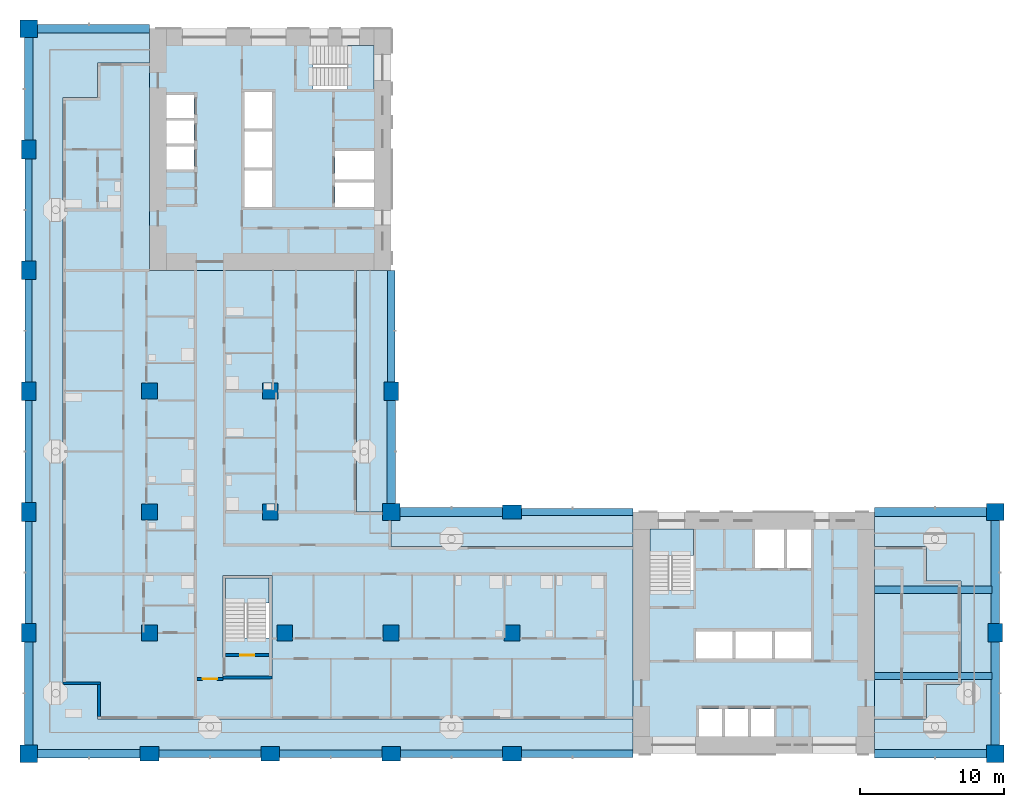
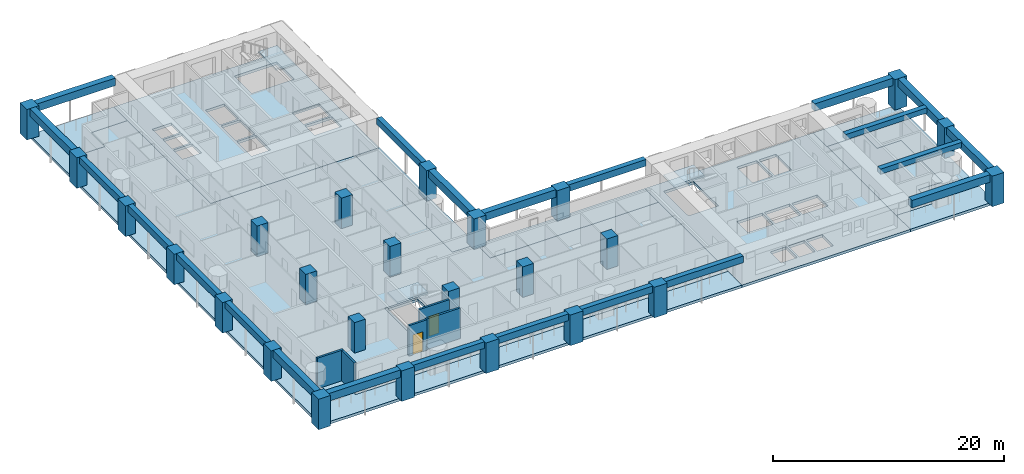
# One storey, part 1 of 19: 25 columns, 22 beams, 12 slabs, 5 walls, 2 doors, 2 openings, 3 elements without a shape of their own.
"""IFC4 building model written with IfcOpenShell, lengths in metres."""

from ifc_helpers import new_model, si_unit, direction, frame, frame_2d, origin, origin_2d, place, context, subcontext, project, spatial, polyline, rectangle, outline, extrude, material, layer, layer_set, material_profile, profile_set, type_object, element, fill, aggregate, save


model = new_model("IFC4")

# Units and contexts
model_context = context("Model", 3, precision=1e-05, world=origin(), true_north=direction((0.0, 1.0)))
body_context = subcontext(model_context, "Body", "Model", "MODEL_VIEW")
ifc_project = project(units=[si_unit("LENGTHUNIT", "METRE"), si_unit("AREAUNIT", "SQUARE_METRE"), si_unit("VOLUMEUNIT", "CUBIC_METRE"), si_unit("PLANEANGLEUNIT", "RADIAN"), si_unit("MASSUNIT", "GRAM", prefix="KILO")], contexts=[model_context])

# Site, building, storey
site_placement = place(None, origin())
site = spatial("IfcSite", under=ifc_project, at=site_placement, CompositionType="ELEMENT")
building_placement = place(site_placement, origin())
building = spatial("IfcBuilding", under=site, at=building_placement, Name="Vermilion Gate Residences", CompositionType="ELEMENT")
storey_placement = place(building_placement, frame((0.0, 0.0, 119.699951171875)))
storey = spatial("IfcBuildingStorey", under=building, at=storey_placement, Name="L30", CompositionType="ELEMENT", Elevation=119.699951171875)

# Columns
ifc_material_1 = material(Name="Concrete C70", Category="concrete")
ifc_material_profile_1 = material_profile(ifc_material_1, rectangle(XDim=1.10009765625, YDim=1.10009765625, at=origin_2d()), Name="RC-1100x1100")
ifc_profile_set_1 = profile_set([ifc_material_profile_1], Name="Concrete C70")
column_type_1 = type_object("IfcColumnType", Name="RC COLUMN 1100 X 1100 C70", PredefinedType="COLUMN", material=ifc_profile_set_1)
for number, where, z_axis, x_axis, name in (
    (1, (8.39990234375, 16.800048828125, 0.0), (0.0, 0.0, 1.0), (1.0, 0.0, 0.0), "Column 2-C L30"),
    (2, (8.39990234375, 25.199951171875, 0.0), (0.0, 0.0, 1.0), (1.0, 0.0, 0.0), "Column 2-D L30"),
    (3, (8.39990234375, 33.60009765625, 0.0), (0.0, 0.0, 1.0), (1.0, 0.0, 0.0), "Column 2-E L30"),
    (4, (17.800048828125, 16.800048828125, 0.0), (0.0, 0.0, 1.0), (1.0, 0.0, 0.0), "Column 3-C L30"),
    (5, (16.800048828125, 25.199951171875, 0.0), (0.0, 0.0, 1.0), (1.0, 0.0, 0.0), "Column 3-D L30"),
    (6, (16.800048828125, 33.60009765625, 0.0), (0.0, 0.0, 1.0), (1.0, 0.0, 0.0), "Column 3-E L30"),
    (7, (25.199951171875, 16.800048828125, 0.0), (0.0, 0.0, 1.0), (1.0, 0.0, 0.0), "Column 4-C L30"),
    (8, (33.60009765625, 16.800048828125, 0.0), (0.0, 0.0, 1.0), (1.0, 0.0, 0.0), "Column 5-C L30"),
):
    element("IfcColumn", number, at=place(storey_placement, frame(where, z_axis=z_axis, x_axis=x_axis)), inside=storey, type_object=column_type_1, Name=name, PredefinedType="COLUMN", context=body_context, shape_type="SweptSolid", body=[
        extrude(rectangle(XDim=1.10009765625, YDim=1.10009765625, at=origin_2d()), origin(), (0.0, 0.0, 1.0), 3.219970703125),
    ])
ifc_material_2 = material(Name="Concrete C70", Category="concrete")
ifc_material_profile_2 = material_profile(ifc_material_2, rectangle(XDim=1.199951171875, YDim=1.199951171875, at=origin_2d()), Name="RC-1200x1200")
ifc_profile_set_2 = profile_set([ifc_material_profile_2], Name="Concrete C70")
column_type_2 = type_object("IfcColumnType", Name="RC COLUMN 1200 X 1200 C70", PredefinedType="COLUMN", material=ifc_profile_set_2)
for number, where, z_axis, x_axis, name in (
    (9, (0.0, 8.39990234375, 0.0), (0.0, 0.0, 1.0), (1.0, 0.0, 0.0), "Column 1-B L30"),
    (10, (0.0, 58.800048828125, 0.0), (0.0, 0.0, 1.0), (1.0, 0.0, 0.0), "Column 1-H L30"),
    (11, (25.199951171875, 25.199951171875, 0.0), (0.0, 0.0, 1.0), (1.0, 0.0, 0.0), "Column 4-D L30"),
    (12, (67.199951171875, 8.39990234375, 0.0), (0.0, 0.0, 1.0), (1.0, 0.0, 0.0), "Column 9-B L30"),
    (13, (67.199951171875, 25.199951171875, 0.0), (0.0, 0.0, 1.0), (1.0, 0.0, 0.0), "Column 9-D L30"),
):
    element("IfcColumn", number, at=place(storey_placement, frame(where, z_axis=z_axis, x_axis=x_axis)), inside=storey, type_object=column_type_2, Name=name, PredefinedType="COLUMN", context=body_context, shape_type="SweptSolid", body=[
        extrude(rectangle(XDim=1.199951171875, YDim=1.199951171875, at=origin_2d()), origin(), (0.0, 0.0, 1.0), 3.219970703125),
    ])
ifc_material_3 = material(Name="Concrete C70", Category="concrete")
ifc_material_profile_3 = material_profile(ifc_material_3, rectangle(XDim=1.300048828125, YDim=1.0, at=origin_2d()), Name="RC-1300x1000")
ifc_profile_set_3 = profile_set([ifc_material_profile_3], Name="Concrete C70")
column_type_3 = type_object("IfcColumnType", Name="RC COLUMN 1300 X 1000 C70", PredefinedType="COLUMN", material=ifc_profile_set_3)
for number, where, z_axis, x_axis, name in (
    (14, (0.0, 16.800048828125, 0.0), (0.0, 0.0, 1.0), (0.0, 1.0, 0.0), "Column 1-C L30"),
    (15, (0.0, 25.199951171875, 0.0), (0.0, 0.0, 1.0), (0.0, 1.0, 0.0), "Column 1-D L30"),
    (16, (0.0, 33.60009765625, 0.0), (0.0, 0.0, 1.0), (0.0, 1.0, 0.0), "Column 1-E L30"),
    (17, (0.0, 42.0, 0.0), (0.0, 0.0, 1.0), (0.0, 1.0, 0.0), "Column 1-F L30"),
    (18, (0.0, 50.39990234375, 0.0), (0.0, 0.0, 1.0), (0.0, 1.0, 0.0), "Column 1-G L30"),
    (19, (8.39990234375, 8.39990234375, 0.0), (0.0, 0.0, 1.0), (1.0, 0.0, 0.0), "Column 2-B L30"),
    (20, (16.800048828125, 8.39990234375, 0.0), (0.0, 0.0, 1.0), (1.0, 0.0, 0.0), "Column 3-B L30"),
    (21, (25.199951171875, 8.39990234375, 0.0), (0.0, 0.0, 1.0), (1.0, 0.0, 0.0), "Column 4-B L30"),
    (22, (25.199951171875, 33.60009765625, 0.0), (0.0, 0.0, 1.0), (0.0, 1.0, 0.0), "Column 4-E L30"),
    (23, (33.60009765625, 8.39990234375, 0.0), (0.0, 0.0, 1.0), (1.0, 0.0, 0.0), "Column 5-B L30"),
    (24, (33.60009765625, 25.199951171875, 0.0), (0.0, 0.0, 1.0), (1.0, 0.0, 0.0), "Column 5-D L30"),
    (25, (67.199951171875, 16.800048828125, 0.0), (0.0, 0.0, 1.0), (0.0, 1.0, 0.0), "Column 9-C L30"),
):
    element("IfcColumn", number, at=place(storey_placement, frame(where, z_axis=z_axis, x_axis=x_axis)), inside=storey, type_object=column_type_3, Name=name, PredefinedType="COLUMN", context=body_context, shape_type="SweptSolid", body=[
        extrude(rectangle(XDim=1.300048828125, YDim=1.0, at=origin_2d()), origin(), (0.0, 0.0, 1.0), 3.219970703125),
    ])

# Beams
ifc_material_4 = material(Name="Concrete C60 red-oxide pigmented", Category="concrete")
ifc_material_profile_4 = material_profile(ifc_material_4, rectangle(XDim=0.60009765625, YDim=0.800048828125, at=origin_2d()), Name="RC-600x800")
ifc_profile_set_4 = profile_set([ifc_material_profile_4], Name="Concrete C60 red-oxide pigmented")
beam_type_1 = type_object("IfcBeamType", Name="RC CORNER EDGE BEAM 600 X 800 C60", PredefinedType="BEAM", material=ifc_profile_set_4)
for number, where, z_axis, x_axis, name in (
    (26, (0.60009765625, 8.39990234375, 2.820068359375), (1.0, 0.0, 0.0), (0.0, 1.0, 0.0), "Corner edge beam L30 1"),
    (27, (0.0, 9.0, 2.820068359375), (0.0, 1.0, 0.0), (-1.0, 0.0, 0.0), "Corner edge beam L30 2"),
):
    element("IfcBeam", number, at=place(storey_placement, frame(where, z_axis=z_axis, x_axis=x_axis)), inside=storey, type_object=beam_type_1, Name=name, PredefinedType="BEAM", context=body_context, shape_type="SweptSolid", body=[
        extrude(rectangle(XDim=0.60009765625, YDim=0.800048828125, at=origin_2d()), origin(), (0.0, 0.0, 1.0), 7.14990234375),
    ])
beam_1_placement = place(storey_placement, frame((0.60009765625, 58.800048828125, 2.820068359375), z_axis=(1.0, 0.0, 0.0), x_axis=(0.0, 1.0, 0.0)))
element("IfcBeam", 28, at=beam_1_placement, inside=storey, type_object=beam_type_1, Name="Corner edge beam L30 7", PredefinedType="BEAM", context=body_context, shape_type="SweptSolid", body=[
    extrude(rectangle(XDim=0.60009765625, YDim=0.800048828125, at=origin_2d()), origin(), (0.0, 0.0, 1.0), 7.7998046875),
])
for number, where, z_axis, x_axis, name in (
    (29, (0.0, 51.050048828125, 2.820068359375), (0.0, 1.0, 0.0), (-1.0, 0.0, 0.0), "Corner edge beam L30 8"),
    (30, (25.199951171875, 25.800048828125, 2.820068359375), (0.0, 1.0, 0.0), (-1.0, 0.0, 0.0), "Corner edge beam L30 11"),
    (31, (25.800048828125, 25.199951171875, 2.820068359375), (1.0, 0.0, 0.0), (0.0, 1.0, 0.0), "Corner edge beam L30 14"),
):
    element("IfcBeam", number, at=place(storey_placement, frame(where, z_axis=z_axis, x_axis=x_axis)), inside=storey, type_object=beam_type_1, Name=name, PredefinedType="BEAM", context=body_context, shape_type="SweptSolid", body=[
        extrude(rectangle(XDim=0.60009765625, YDim=0.800048828125, at=origin_2d()), origin(), (0.0, 0.0, 1.0), 7.14990234375),
    ])
beam_2_placement = place(storey_placement, frame((58.800048828125, 8.39990234375, 2.820068359375), z_axis=(1.0, 0.0, 0.0), x_axis=(0.0, 1.0, 0.0)))
element("IfcBeam", 32, at=beam_2_placement, inside=storey, type_object=beam_type_1, Name="Corner edge beam L30 17", PredefinedType="BEAM", context=body_context, shape_type="SweptSolid", body=[
    extrude(rectangle(XDim=0.60009765625, YDim=0.800048828125, at=origin_2d()), origin(), (0.0, 0.0, 1.0), 7.800048828125),
])
beam_3_placement = place(storey_placement, frame((67.199951171875, 9.0, 2.820068359375), z_axis=(0.0, 1.0, 0.0), x_axis=(-1.0, 0.0, 0.0)))
element("IfcBeam", 33, at=beam_3_placement, inside=storey, type_object=beam_type_1, Name="Corner edge beam L30 18", PredefinedType="BEAM", context=body_context, shape_type="SweptSolid", body=[
    extrude(rectangle(XDim=0.60009765625, YDim=0.800048828125, at=origin_2d()), origin(), (0.0, 0.0, 1.0), 7.14990234375),
])
beam_4_placement = place(storey_placement, frame((67.199951171875, 17.449951171875, 2.820068359375), z_axis=(0.0, 1.0, 0.0), x_axis=(-1.0, 0.0, 0.0)))
element("IfcBeam", 34, at=beam_4_placement, inside=storey, type_object=beam_type_1, Name="Corner edge beam L30 19", PredefinedType="BEAM", context=body_context, shape_type="SweptSolid", body=[
    extrude(rectangle(XDim=0.60009765625, YDim=0.800048828125, at=origin_2d()), origin(), (0.0, 0.0, 1.0), 7.150146484375),
])
beam_5_placement = place(storey_placement, frame((58.800048828125, 25.199951171875, 2.820068359375), z_axis=(1.0, 0.0, 0.0), x_axis=(0.0, 1.0, 0.0)))
element("IfcBeam", 35, at=beam_5_placement, inside=storey, type_object=beam_type_1, Name="Corner edge beam L30 20", PredefinedType="BEAM", context=body_context, shape_type="SweptSolid", body=[
    extrude(rectangle(XDim=0.60009765625, YDim=0.800048828125, at=origin_2d()), origin(), (0.0, 0.0, 1.0), 7.800048828125),
])
ifc_material_5 = material(Name="Concrete C60 red-oxide pigmented", Category="concrete")
ifc_material_profile_5 = material_profile(ifc_material_5, rectangle(XDim=0.5, YDim=0.699951171875, at=origin_2d()), Name="RC-500x700")
ifc_profile_set_5 = profile_set([ifc_material_profile_5], Name="Concrete C60 red-oxide pigmented")
beam_type_2 = type_object("IfcBeamType", Name="RC EDGE BEAM 500 X 700 C60", PredefinedType="BEAM", material=ifc_profile_set_5)
beam_6_placement = place(storey_placement, frame((0.0, 17.449951171875, 2.8701171875), z_axis=(0.0, 1.0, 0.0), x_axis=(-1.0, 0.0, 0.0)))
element("IfcBeam", 36, at=beam_6_placement, inside=storey, type_object=beam_type_2, Name="Edge beam L30 3", PredefinedType="BEAM", context=body_context, shape_type="SweptSolid", body=[
    extrude(rectangle(XDim=0.5, YDim=0.699951171875, at=origin_2d()), origin(), (0.0, 0.0, 1.0), 7.10009765625),
])
beam_7_placement = place(storey_placement, frame((0.0, 25.85009765625, 2.8701171875), z_axis=(0.0, 1.0, 0.0), x_axis=(-1.0, 0.0, 0.0)))
element("IfcBeam", 37, at=beam_7_placement, inside=storey, type_object=beam_type_2, Name="Edge beam L30 4", PredefinedType="BEAM", context=body_context, shape_type="SweptSolid", body=[
    extrude(rectangle(XDim=0.5, YDim=0.699951171875, at=origin_2d()), origin(), (0.0, 0.0, 1.0), 7.099853515625),
])
for number, where, z_axis, x_axis, name in (
    (38, (0.0, 34.25, 2.8701171875), (0.0, 1.0, 0.0), (-1.0, 0.0, 0.0), "Edge beam L30 5"),
    (39, (0.0, 42.64990234375, 2.8701171875), (0.0, 1.0, 0.0), (-1.0, 0.0, 0.0), "Edge beam L30 6"),
):
    element("IfcBeam", number, at=place(storey_placement, frame(where, z_axis=z_axis, x_axis=x_axis)), inside=storey, type_object=beam_type_2, Name=name, PredefinedType="BEAM", context=body_context, shape_type="SweptSolid", body=[
        extrude(rectangle(XDim=0.5, YDim=0.699951171875, at=origin_2d()), origin(), (0.0, 0.0, 1.0), 7.10009765625),
    ])
beam_8_placement = place(storey_placement, frame((9.050048828125, 8.39990234375, 2.8701171875), z_axis=(1.0, 0.0, 0.0), x_axis=(0.0, 1.0, 0.0)))
element("IfcBeam", 40, at=beam_8_placement, inside=storey, type_object=beam_type_2, Name="Edge beam L30 9", PredefinedType="BEAM", context=body_context, shape_type="SweptSolid", body=[
    extrude(rectangle(XDim=0.5, YDim=0.699951171875, at=origin_2d()), origin(), (0.0, 0.0, 1.0), 7.099853515625),
])
beam_9_placement = place(storey_placement, frame((17.449951171875, 8.39990234375, 2.8701171875), z_axis=(1.0, 0.0, 0.0), x_axis=(0.0, 1.0, 0.0)))
element("IfcBeam", 41, at=beam_9_placement, inside=storey, type_object=beam_type_2, Name="Edge beam L30 10", PredefinedType="BEAM", context=body_context, shape_type="SweptSolid", body=[
    extrude(rectangle(XDim=0.5, YDim=0.699951171875, at=origin_2d()), origin(), (0.0, 0.0, 1.0), 7.10009765625),
])
beam_10_placement = place(storey_placement, frame((25.199951171875, 34.25, 2.8701171875), z_axis=(0.0, 1.0, 0.0), x_axis=(-1.0, 0.0, 0.0)))
element("IfcBeam", 42, at=beam_10_placement, inside=storey, type_object=beam_type_2, Name="Edge beam L30 12", PredefinedType="BEAM", context=body_context, shape_type="SweptSolid", body=[
    extrude(rectangle(XDim=0.5, YDim=0.699951171875, at=origin_2d()), origin(), (0.0, 0.0, 1.0), 7.75),
])
beam_11_placement = place(storey_placement, frame((25.85009765625, 8.39990234375, 2.8701171875), z_axis=(1.0, 0.0, 0.0), x_axis=(0.0, 1.0, 0.0)))
element("IfcBeam", 43, at=beam_11_placement, inside=storey, type_object=beam_type_2, Name="Edge beam L30 13", PredefinedType="BEAM", context=body_context, shape_type="SweptSolid", body=[
    extrude(rectangle(XDim=0.5, YDim=0.699951171875, at=origin_2d()), origin(), (0.0, 0.0, 1.0), 7.099853515625),
])
for number, where, z_axis, x_axis, name in (
    (44, (34.25, 8.39990234375, 2.8701171875), (1.0, 0.0, 0.0), (0.0, 1.0, 0.0), "Edge beam L30 15"),
    (45, (34.25, 25.199951171875, 2.8701171875), (1.0, 0.0, 0.0), (0.0, 1.0, 0.0), "Edge beam L30 16"),
):
    element("IfcBeam", number, at=place(storey_placement, frame(where, z_axis=z_axis, x_axis=x_axis)), inside=storey, type_object=beam_type_2, Name=name, PredefinedType="BEAM", context=body_context, shape_type="SweptSolid", body=[
        extrude(rectangle(XDim=0.5, YDim=0.699951171875, at=origin_2d()), origin(), (0.0, 0.0, 1.0), 7.75),
    ])
ifc_material_6 = material(Name="Concrete C60", Category="concrete")
ifc_material_profile_6 = material_profile(ifc_material_6, rectangle(XDim=0.5, YDim=0.550048828125, at=origin_2d()), Name="RC-500x550")
ifc_profile_set_6 = profile_set([ifc_material_profile_6], Name="Concrete C60")
beam_type_3 = type_object("IfcBeamType", Name="RC WING BEAM 500 X 550 C60", PredefinedType="BEAM", material=ifc_profile_set_6)
for number, where, z_axis, x_axis, name in (
    (46, (58.800048828125, 13.800048828125, 2.945068359375), (1.0, 0.0, 0.0), (0.0, 1.0, 0.0), "Wing-end beam L30 1"),
    (47, (58.800048828125, 19.800048828125, 2.945068359375), (1.0, 0.0, 0.0), (0.0, 1.0, 0.0), "Wing-end beam L30 2"),
):
    element("IfcBeam", number, at=place(storey_placement, frame(where, z_axis=z_axis, x_axis=x_axis)), inside=storey, type_object=beam_type_3, Name=name, PredefinedType="BEAM", context=body_context, shape_type="SweptSolid", body=[
        extrude(rectangle(XDim=0.5, YDim=0.550048828125, at=origin_2d()), origin(), (0.0, 0.0, 1.0), 8.14990234375),
    ])

# Slabs
ifc_material_7 = material(Name="Concrete C50", Category="concrete")
ifc_layer_1 = layer(ifc_material_7, 0.280029296875)
ifc_layer_set_1 = layer_set([ifc_layer_1], Name="RC CORE FLOOR SLAB 280 C50")
slab_type_1 = type_object("IfcSlabType", Name="RC CORE FLOOR SLAB 280 C50", PredefinedType="FLOOR", material=ifc_layer_set_1)
slab_1_placement = place(storey_placement, frame((0.0, 0.0, -0.280029296875)))
element("IfcSlab", 48, at=slab_1_placement, inside=storey, type_object=slab_type_1, Name="Core floor slab A30", PredefinedType="FLOOR", context=body_context, shape_type="SweptSolid", body=[
    extrude(outline(polyline([(42.0, 8.39990234375), (58.800048828125, 8.39990234375), (58.800048828125, 25.199951171875), (42.0, 25.199951171875), (42.0, 8.39990234375)]), holes=[polyline([(46.60009765625, 11.5), (48.199951171875, 11.5), (48.199951171875, 9.60009765625), (46.60009765625, 9.60009765625), (46.60009765625, 11.5)]), polyline([(48.39990234375, 11.5), (50.0, 11.5), (50.0, 9.60009765625), (48.39990234375, 9.60009765625), (48.39990234375, 11.5)]), polyline([(50.199951171875, 11.5), (51.800048828125, 11.5), (51.800048828125, 9.60009765625), (50.199951171875, 9.60009765625), (50.199951171875, 11.5)]), polyline([(46.39990234375, 16.89990234375), (48.933349609375, 16.89990234375), (48.933349609375, 15.0), (46.39990234375, 15.0), (46.39990234375, 16.89990234375)]), polyline([(49.13330078125, 16.89990234375), (51.666748046875, 16.89990234375), (51.666748046875, 15.0), (49.13330078125, 15.0), (49.13330078125, 16.89990234375)]), polyline([(51.86669921875, 16.89990234375), (54.39990234375, 16.89990234375), (54.39990234375, 15.0), (51.86669921875, 15.0), (51.86669921875, 16.89990234375)]), polyline([(43.199951171875, 24.0), (46.199951171875, 24.0), (46.199951171875, 19.75), (43.199951171875, 19.75), (43.199951171875, 24.0)]), polyline([(52.5, 24.0), (52.5, 21.300048828125), (50.5, 21.300048828125), (50.5, 24.0), (52.5, 24.0)]), polyline([(54.39990234375, 24.0), (54.39990234375, 21.300048828125), (52.699951171875, 21.300048828125), (52.699951171875, 24.0), (54.39990234375, 24.0)])]), origin(), (0.0, 0.0, 1.0), 0.280029296875),
])
slab_2_placement = place(storey_placement, frame((0.0, 0.0, -0.280029296875)))
element("IfcSlab", 49, at=slab_2_placement, inside=storey, type_object=slab_type_1, Name="Core floor slab B30", PredefinedType="FLOOR", context=body_context, shape_type="SweptSolid", body=[
    extrude(outline(polyline([(8.39990234375, 42.0), (25.199951171875, 42.0), (25.199951171875, 58.800048828125), (8.39990234375, 58.800048828125), (8.39990234375, 42.0)]), holes=[polyline([(21.300048828125, 48.10009765625), (24.0, 48.10009765625), (24.0, 46.39990234375), (21.300048828125, 46.39990234375), (21.300048828125, 48.10009765625)]), polyline([(15.0, 48.933349609375), (16.89990234375, 48.933349609375), (16.89990234375, 46.39990234375), (15.0, 46.39990234375), (15.0, 48.933349609375)]), polyline([(21.300048828125, 50.300048828125), (24.0, 50.300048828125), (24.0, 48.300048828125), (21.300048828125, 48.300048828125), (21.300048828125, 50.300048828125)]), polyline([(9.60009765625, 50.60009765625), (11.5, 50.60009765625), (11.5, 49.0), (9.60009765625, 49.0), (9.60009765625, 50.60009765625)]), polyline([(15.0, 51.666748046875), (16.89990234375, 51.666748046875), (16.89990234375, 49.13330078125), (15.0, 49.13330078125), (15.0, 51.666748046875)]), polyline([(9.60009765625, 52.39990234375), (11.5, 52.39990234375), (11.5, 50.800048828125), (9.60009765625, 50.800048828125), (9.60009765625, 52.39990234375)]), polyline([(15.0, 54.39990234375), (16.89990234375, 54.39990234375), (16.89990234375, 51.86669921875), (15.0, 51.86669921875), (15.0, 54.39990234375)]), polyline([(11.5, 54.199951171875), (11.5, 52.60009765625), (9.60009765625, 52.60009765625), (9.60009765625, 54.199951171875), (11.5, 54.199951171875)]), polyline([(24.0, 57.60009765625), (24.0, 54.60009765625), (19.75, 54.60009765625), (19.75, 57.60009765625), (24.0, 57.60009765625)])]), origin(), (0.0, 0.0, 1.0), 0.280029296875),
])
slab_3_placement = place(storey_placement, frame((0.0, 0.0, -0.280029296875)))
element("IfcSlab", 50, at=slab_3_placement, inside=storey, type_object=slab_type_1, Name="Apex stair floor slab 30", PredefinedType="FLOOR", context=body_context, shape_type="SweptSolid", body=[
    extrude(outline(polyline([(13.5, 13.60009765625), (16.89990234375, 13.60009765625), (16.89990234375, 20.800048828125), (13.5, 20.800048828125), (13.5, 13.60009765625)]), holes=[polyline([(16.699951171875, 20.60009765625), (16.699951171875, 16.449951171875), (13.699951171875, 16.449951171875), (13.699951171875, 20.60009765625), (16.699951171875, 20.60009765625)])]), origin(), (0.0, 0.0, 1.0), 0.280029296875),
])
ifc_material_8 = material(Name="Concrete C50", Category="concrete")
ifc_layer_2 = layer(ifc_material_8, 0.280029296875)
ifc_layer_set_2 = layer_set([ifc_layer_2], Name="RC FLAT PLATE 280 C50")
slab_type_2 = type_object("IfcSlabType", Name="RC FLAT PLATE 280 C50", PredefinedType="FLOOR", material=ifc_layer_set_2)
slab_4_placement = place(storey_placement, frame((0.0, 0.0, -0.280029296875)))
element("IfcSlab", 51, at=slab_4_placement, inside=storey, type_object=slab_type_2, Name="Floor slab L30", PredefinedType="FLOOR", context=body_context, shape_type="SweptSolid", body=[
    extrude(outline(polyline([(22.800048828125, 25.199951171875), (22.800048828125, 42.0), (8.39990234375, 42.0), (8.39990234375, 56.39990234375), (4.800048828125, 56.39990234375), (4.800048828125, 54.0), (2.39990234375, 54.0), (2.39990234375, 13.199951171875), (4.800048828125, 13.199951171875), (4.800048828125, 10.800048828125), (42.0, 10.800048828125), (42.0, 22.800048828125), (25.199951171875, 22.800048828125), (25.199951171875, 25.199951171875), (22.800048828125, 25.199951171875)]), holes=[polyline([(13.5, 13.60009765625), (13.5, 20.800048828125), (16.89990234375, 20.800048828125), (16.89990234375, 13.60009765625), (13.5, 13.60009765625)])]), origin(), (0.0, 0.0, 1.0), 0.280029296875),
])
slab_5_placement = place(storey_placement, frame((0.0, 0.0, -0.280029296875)))
element("IfcSlab", 52, at=slab_5_placement, inside=storey, type_object=slab_type_2, Name="Floor slab L30", PredefinedType="FLOOR", context=body_context, shape_type="SweptSolid", body=[
    extrude(outline(polyline([(58.800048828125, 22.800048828125), (58.800048828125, 10.800048828125), (62.39990234375, 10.800048828125), (62.39990234375, 13.199951171875), (64.800048828125, 13.199951171875), (64.800048828125, 20.39990234375), (62.39990234375, 20.39990234375), (62.39990234375, 22.800048828125), (58.800048828125, 22.800048828125)])), origin(), (0.0, 0.0, 1.0), 0.280029296875),
])
ifc_material_9 = material(Name="Concrete C50 red-oxide pigmented", Category="concrete")
ifc_layer_3 = layer(ifc_material_9, 0.280029296875)
ifc_layer_set_3 = layer_set([ifc_layer_3], Name="RC LOGGIA SLAB 280 C50")
slab_type_3 = type_object("IfcSlabType", Name="RC LOGGIA SLAB 280 C50", PredefinedType="FLOOR", material=ifc_layer_set_3)
slab_6_placement = place(storey_placement, frame((0.0, 0.0, -0.280029296875)))
element("IfcSlab", 53, at=slab_6_placement, inside=storey, type_object=slab_type_3, Name="Loggia slab L30", PredefinedType="FLOOR", context=body_context, shape_type="SweptSolid", body=[
    extrude(outline(polyline([(0.0, 58.800048828125), (0.0, 8.39990234375), (42.0, 8.39990234375), (42.0, 10.800048828125), (4.800048828125, 10.800048828125), (4.800048828125, 13.199951171875), (2.39990234375, 13.199951171875), (2.39990234375, 54.0), (4.800048828125, 54.0), (4.800048828125, 56.39990234375), (8.39990234375, 56.39990234375), (8.39990234375, 58.800048828125), (0.0, 58.800048828125)])), origin(), (0.0, 0.0, 1.0), 0.280029296875),
])
slab_7_placement = place(storey_placement, frame((0.0, 0.0, -0.280029296875)))
element("IfcSlab", 54, at=slab_7_placement, inside=storey, type_object=slab_type_3, Name="Loggia slab L30", PredefinedType="FLOOR", context=body_context, shape_type="SweptSolid", body=[
    extrude(outline(polyline([(64.800048828125, 20.39990234375), (64.800048828125, 13.199951171875), (62.39990234375, 13.199951171875), (62.39990234375, 10.800048828125), (58.800048828125, 10.800048828125), (58.800048828125, 8.39990234375), (67.199951171875, 8.39990234375), (67.199951171875, 25.199951171875), (58.800048828125, 25.199951171875), (58.800048828125, 22.800048828125), (62.39990234375, 22.800048828125), (62.39990234375, 20.39990234375), (64.800048828125, 20.39990234375)])), origin(), (0.0, 0.0, 1.0), 0.280029296875),
])
slab_8_placement = place(storey_placement, frame((0.0, 0.0, -0.280029296875)))
element("IfcSlab", 55, at=slab_8_placement, inside=storey, type_object=slab_type_3, Name="Loggia slab L30", PredefinedType="FLOOR", context=body_context, shape_type="SweptSolid", body=[
    extrude(outline(polyline([(25.199951171875, 22.800048828125), (42.0, 22.800048828125), (42.0, 25.199951171875), (25.199951171875, 25.199951171875), (25.199951171875, 22.800048828125)])), origin(), (0.0, 0.0, 1.0), 0.280029296875),
])
slab_9_placement = place(storey_placement, frame((0.0, 0.0, -0.280029296875)))
element("IfcSlab", 56, at=slab_9_placement, inside=storey, type_object=slab_type_3, Name="Loggia slab L30", PredefinedType="FLOOR", context=body_context, shape_type="SweptSolid", body=[
    extrude(outline(polyline([(25.199951171875, 25.199951171875), (25.199951171875, 42.0), (22.800048828125, 42.0), (22.800048828125, 25.199951171875), (25.199951171875, 25.199951171875)])), origin(), (0.0, 0.0, 1.0), 0.280029296875),
])

# Stair, slab
ifc_material_10 = material(Name="Concrete C50", Category="concrete")
stair_type = type_object("IfcStairType", Name="SPECIAL ESCAPE STAIR 1300", PredefinedType="HALF_TURN_STAIR", material=ifc_material_10)
stair_1_placement = place(storey_placement, origin())
stair_1 = element("IfcStair", 57, at=stair_1_placement, inside=storey, type_object=stair_type, Name="Special escape stair STA1-30", PredefinedType="HALF_TURN_STAIR")
ifc_material_11 = material(Name="Concrete C50", Category="concrete")
ifc_layer_4 = layer(ifc_material_11, 0.199951171875)
ifc_layer_set_4 = layer_set([ifc_layer_4], Name="STAIR LANDING 200 C50")
slab_type_4 = type_object("IfcSlabType", Name="STAIR LANDING 200 C50", PredefinedType="LANDING", material=ifc_layer_set_4)
slab_10_placement = place(storey_placement, frame((0.0, 0.0, 1.550048828125)))
slab_10 = element("IfcSlab", 58, at=slab_10_placement, type_object=slab_type_4, Name="STA1-30 landing 1", PredefinedType="LANDING", context=body_context, shape_type="SweptSolid", body=[
    extrude(outline(polyline([(46.219970703125, 22.179931640625), (46.219970703125, 24.02001953125), (43.179931640625, 24.02001953125), (43.179931640625, 22.179931640625), (46.219970703125, 22.179931640625)])), origin(), (0.0, 0.0, 1.0), 0.199951171875),
])
aggregate(stair_1, [slab_10])

stair_2_placement = place(storey_placement, origin())
stair_2 = element("IfcStair", 59, at=stair_2_placement, inside=storey, type_object=stair_type, Name="Special escape stair STB1-30", PredefinedType="HALF_TURN_STAIR")
slab_11_placement = place(storey_placement, frame((0.0, 0.0, 1.550048828125)))
slab_11 = element("IfcSlab", 60, at=slab_11_placement, type_object=slab_type_4, Name="STB1-30 landing 1", PredefinedType="LANDING", context=body_context, shape_type="SweptSolid", body=[
    extrude(outline(polyline([(24.02001953125, 54.580078125), (24.02001953125, 57.6201171875), (22.179931640625, 57.6201171875), (22.179931640625, 54.580078125), (24.02001953125, 54.580078125)])), origin(), (0.0, 0.0, 1.0), 0.199951171875),
])
aggregate(stair_2, [slab_11])

stair_3_placement = place(storey_placement, origin())
stair_3 = element("IfcStair", 61, at=stair_3_placement, inside=storey, type_object=stair_type, Name="Special escape stair STC1-30", PredefinedType="HALF_TURN_STAIR")
slab_12_placement = place(storey_placement, frame((0.0, 0.0, 1.550048828125)))
slab_12 = element("IfcSlab", 62, at=slab_12_placement, type_object=slab_type_4, Name="STC1-30 landing 1", PredefinedType="LANDING", context=body_context, shape_type="SweptSolid", body=[
    extrude(outline(polyline([(16.719970703125, 18.8798828125), (16.719970703125, 20.6201171875), (13.679931640625, 20.6201171875), (13.679931640625, 18.8798828125), (16.719970703125, 18.8798828125)])), origin(), (0.0, 0.0, 1.0), 0.199951171875),
])
aggregate(stair_3, [slab_12])

# Walls
ifc_material_12 = material(Name="Insulated steel stud wall with terracotta rainscreen", Category="masonry")
ifc_layer_5 = layer(ifc_material_12, 0.199951171875)
ifc_layer_set_5 = layer_set([ifc_layer_5], Name="EXTERNAL WALL 200 TERRACOTTA RAINSCREEN")
wall_type_1 = type_object("IfcWallType", Name="EXTERNAL WALL 200 TERRACOTTA RAINSCREEN", PredefinedType="SOLIDWALL", material=ifc_layer_set_5)
wall_1_placement = place(storey_placement, frame((2.39990234375, 13.300048828125, 0.0), z_axis=(0.0, 0.0, 1.0), x_axis=(1.0, 0.0, 0.0)))
element("IfcWall", 63, at=wall_1_placement, inside=storey, type_object=wall_type_1, Name="External wall", PredefinedType="SOLIDWALL", context=body_context, shape_type="SweptSolid", body=[
    extrude(rectangle(XDim=2.60009765625, YDim=0.199951171875, at=frame_2d((1.300048828125, 0.0))), origin(), (0.0, 0.0, 1.0), 3.219970703125),
])
wall_2_placement = place(storey_placement, frame((4.89990234375, 13.199951171875, 0.0), z_axis=(0.0, 0.0, 1.0), x_axis=(0.0, -1.0, 0.0)))
element("IfcWall", 64, at=wall_2_placement, inside=storey, type_object=wall_type_1, Name="External wall", PredefinedType="SOLIDWALL", context=body_context, shape_type="SweptSolid", body=[
    extrude(rectangle(XDim=2.199951171875, YDim=0.199951171875, at=frame_2d((1.10009765625, 0.0))), origin(), (0.0, 0.0, 1.0), 3.219970703125),
])

# Wall, opening, door
ifc_material_13 = material(Name="Fire-rated plasterboard on steel studs", Category="steel")
ifc_layer_6 = layer(ifc_material_13, 0.199951171875)
ifc_layer_set_6 = layer_set([ifc_layer_6], Name="PARTY WALL 200 EI 120")
wall_type_2 = type_object("IfcWallType", Name="PARTY WALL 200 EI 120", PredefinedType="PARTITIONING", material=ifc_layer_set_6)
wall_3_placement = place(storey_placement, frame((11.699951171875, 13.60009765625, 0.0), z_axis=(0.0, 0.0, 1.0), x_axis=(1.0, 0.0, 0.0)))
wall_3 = element("IfcWall", 65, at=wall_3_placement, inside=storey, type_object=wall_type_2, Name="Party and corridor wall", PredefinedType="PARTITIONING", context=body_context, shape_type="SweptSolid", body=[
    extrude(rectangle(XDim=1.800048828125, YDim=0.199951171875, at=frame_2d((0.89990234375, 0.0))), origin(), (0.0, 0.0, 1.0), 3.219970703125),
])
opening_1_placement = place(wall_3_placement, frame((0.39990234375, 0.0, 0.0)))
opening_1 = element("IfcOpeningElement", 66, at=opening_1_placement, cuts=wall_3, Name="Opening DA30001", PredefinedType="OPENING", context=body_context, shape_type="SweptSolid", body=[
    extrude(rectangle(XDim=1.0, YDim=2.10009765625, at=frame_2d((0.5, 1.050048828125))), frame((0.0, 0.10986328125, 0.0), z_axis=(0.0, -1.0, 0.0), x_axis=(1.0, 0.0, 0.0)), (0.0, 0.0, 1.0), 0.219970703125),
])
ifc_material_14 = material(Name="Steel", Category="steel")
door_type_1 = type_object("IfcDoorType", Name="ENTRANCE DOOR 1000 X 2100 FD30", OperationType="SINGLE_SWING_LEFT", PredefinedType="DOOR", material=ifc_material_14)
door_1_placement = place(opening_1_placement, frame((1.0, 0.0, 0.0), z_axis=(0.0, 0.0, 1.0), x_axis=(-1.0, 0.0, 0.0)))
door_1 = element("IfcDoor", 67, at=door_1_placement, inside=storey, type_object=door_type_1, Name="Entrance door", OperationType="SINGLE_SWING_RIGHT", OverallHeight=2.10009765625, OverallWidth=1.0, PredefinedType="DOOR", context=body_context, shape_type="SweptSolid", body=[
    extrude(rectangle(XDim=1.0, YDim=2.10009765625, at=frame_2d((0.5, 1.050048828125))), frame((0.0, 0.02490234375, 0.0), z_axis=(0.0, -1.0, 0.0), x_axis=(1.0, 0.0, 0.0)), (0.0, 0.0, 1.0), 0.050048828125),
])
fill(opening_1, door_1)

# Wall
ifc_material_15 = material(Name="Concrete C60", Category="concrete")
ifc_layer_7 = layer(ifc_material_15, 0.199951171875)
ifc_layer_set_7 = layer_set([ifc_layer_7], Name="RC CORE INTERNAL WALL 200 C60")
wall_type_3 = type_object("IfcWallType", Name="RC CORE INTERNAL WALL 200 C60", PredefinedType="SHEAR", material=ifc_layer_set_7)
wall_4_placement = place(storey_placement, frame((13.5, 13.699951171875, 0.0), z_axis=(0.0, 0.0, 1.0), x_axis=(1.0, 0.0, 0.0)))
element("IfcWall", 68, at=wall_4_placement, inside=storey, type_object=wall_type_3, Name="Core internal wall C30-S", PredefinedType="SHEAR", context=body_context, shape_type="SweptSolid", body=[
    extrude(rectangle(XDim=3.39990234375, YDim=0.199951171875, at=frame_2d((1.699951171875, 0.0))), origin(), (0.0, 0.0, 1.0), 3.219970703125),
])

# Wall, opening, door
wall_5_placement = place(storey_placement, frame((13.699951171875, 15.25, 0.0), z_axis=(0.0, 0.0, 1.0), x_axis=(1.0, 0.0, 0.0)))
wall_5 = element("IfcWall", 69, at=wall_5_placement, inside=storey, type_object=wall_type_3, Name="Core internal wall C30-P", PredefinedType="SHEAR", context=body_context, shape_type="SweptSolid", body=[
    extrude(rectangle(XDim=3.0, YDim=0.199951171875, at=frame_2d((1.5, 0.0))), origin(), (0.0, 0.0, 1.0), 3.219970703125),
])
opening_2_placement = place(wall_5_placement, frame((1.0, 0.0, 0.0)))
opening_2 = element("IfcOpeningElement", 70, at=opening_2_placement, cuts=wall_5, Name="Opening DK30202", PredefinedType="OPENING", context=body_context, shape_type="SweptSolid", body=[
    extrude(rectangle(XDim=1.0, YDim=2.10009765625, at=frame_2d((0.5, 1.050048828125))), frame((0.0, 0.10986328125, 0.0), z_axis=(0.0, -1.0, 0.0), x_axis=(1.0, 0.0, 0.0)), (0.0, 0.0, 1.0), 0.219970703125),
])
ifc_material_16 = material(Name="Steel", Category="steel")
door_type_2 = type_object("IfcDoorType", Name="FIRE DOOR FD60 1000 X 2100", OperationType="SINGLE_SWING_LEFT", PredefinedType="DOOR", material=ifc_material_16)
door_2_placement = place(opening_2_placement, origin())
door_2 = element("IfcDoor", 71, at=door_2_placement, inside=storey, type_object=door_type_2, Name="Stair door C30", OperationType="SINGLE_SWING_LEFT", OverallHeight=2.10009765625, OverallWidth=1.0, PredefinedType="DOOR", context=body_context, shape_type="SweptSolid", body=[
    extrude(rectangle(XDim=1.0, YDim=2.10009765625, at=frame_2d((0.5, 1.050048828125))), frame((0.0, 0.02490234375, 0.0), z_axis=(0.0, -1.0, 0.0), x_axis=(1.0, 0.0, 0.0)), (0.0, 0.0, 1.0), 0.050048828125),
])
fill(opening_2, door_2)

save(model, "model.ifc")
